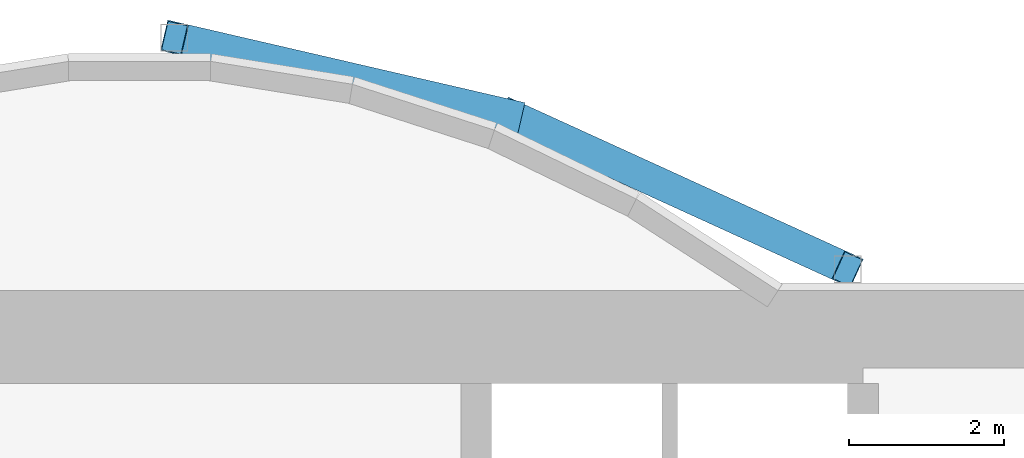
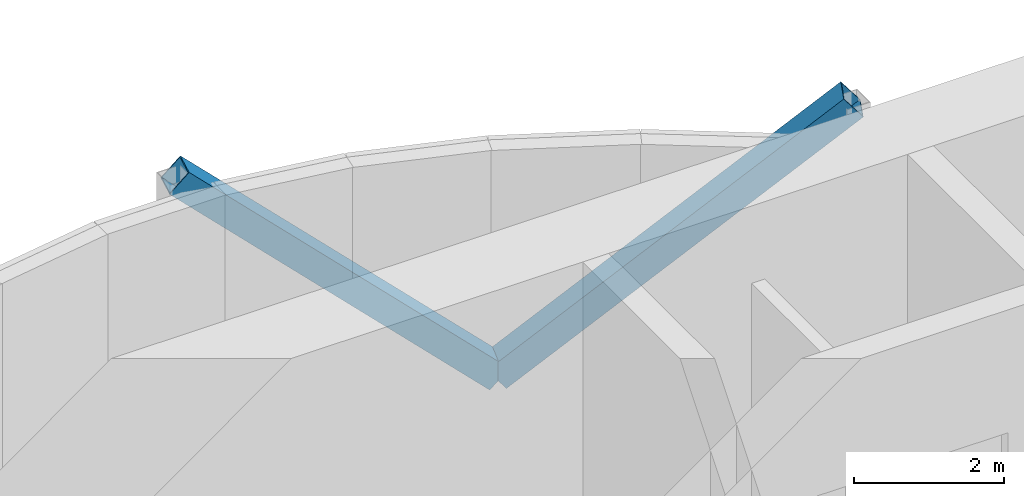
# One storey, part 11 of 20: 2 members.
"""IFC4 building model written with IfcOpenShell, lengths in metres."""

from ifc_helpers import new_model, si_unit, direction, frame, origin, origin_2d, place, context, subcontext, project, spatial, hollow_rectangle, extrude, material, material_profile, profile_set, type_object, element, save


model = new_model("IFC4")

# Units and contexts
model_context = context("Model", 3, precision=1e-05, world=origin(), true_north=direction((0.0, 1.0)))
body_context = subcontext(model_context, "Body", "Model", "MODEL_VIEW")
ifc_project = project(units=[si_unit("LENGTHUNIT", "METRE"), si_unit("AREAUNIT", "SQUARE_METRE"), si_unit("VOLUMEUNIT", "CUBIC_METRE"), si_unit("PLANEANGLEUNIT", "RADIAN"), si_unit("MASSUNIT", "GRAM", prefix="KILO")], contexts=[model_context])

# Site, building, storey
site_placement = place(None, origin())
site = spatial("IfcSite", under=ifc_project, at=site_placement, CompositionType="ELEMENT")
building_placement = place(site_placement, origin())
building = spatial("IfcBuilding", under=site, at=building_placement, Name="Bicima Exchange Tower", CompositionType="ELEMENT")
storey_placement = place(building_placement, frame((0.0, 0.0, 223.699951171875)))
storey = spatial("IfcBuildingStorey", under=building, at=storey_placement, Name="L50", CompositionType="ELEMENT", Elevation=223.699951171875)

# Members
ifc_material = material(Name="Steel ASTM A572 Gr 50", Category="steel")
ifc_material_profile = material_profile(ifc_material, hollow_rectangle(XDim=0.406494140625, YDim=0.406494140625, WallThickness=0.0146484375, at=origin_2d()))
ifc_profile_set = profile_set([ifc_material_profile], Name="Steel ASTM A572 Gr 50")
member_type = type_object("IfcMemberType", Name="Mega brace HSS16x16x5/8", PredefinedType="BRACE", material=ifc_profile_set)
member_1_placement = place(storey_placement, frame((13.050048828125, 2.262451171875, 0.0), z_axis=(0.690628963585, -0.315060460011, 0.650975069565), x_axis=(0.415045223819, 0.909800781592, 0.0)))
element("IfcMember", 1, at=member_1_placement, inside=storey, type_object=member_type, Name="Mega brace rexo", PredefinedType="BRACE", context=body_context, shape_type="SweptSolid", body=[
    extrude(hollow_rectangle(XDim=0.406494140625, YDim=0.406494140625, WallThickness=0.0146484375, at=origin_2d()), origin(), (0.0, 0.0, 1.0), 6.29833984375),
])
member_2_placement = place(storey_placement, frame((13.050048828125, 2.262451171875, 0.0), z_axis=(-0.717605620354, 0.166050509188, 0.676364843878), x_axis=(-0.225438503722, -0.974257399787, 0.0)))
element("IfcMember", 2, at=member_2_placement, inside=storey, type_object=member_type, Name="Mega brace rexo", PredefinedType="BRACE", context=body_context, shape_type="SweptSolid", body=[
    extrude(hollow_rectangle(XDim=0.406494140625, YDim=0.406494140625, WallThickness=0.0146484375, at=origin_2d()), origin(), (0.0, 0.0, 1.0), 6.06201171875),
])

save(model, "model.ifc")
